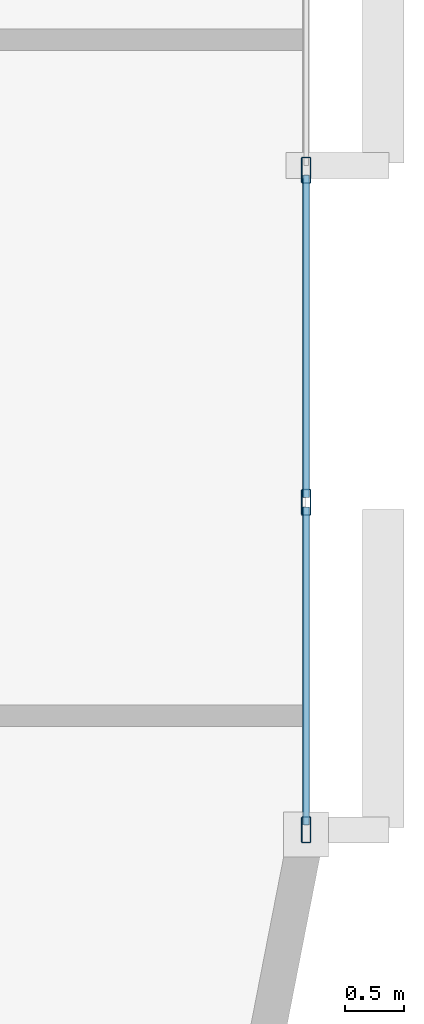
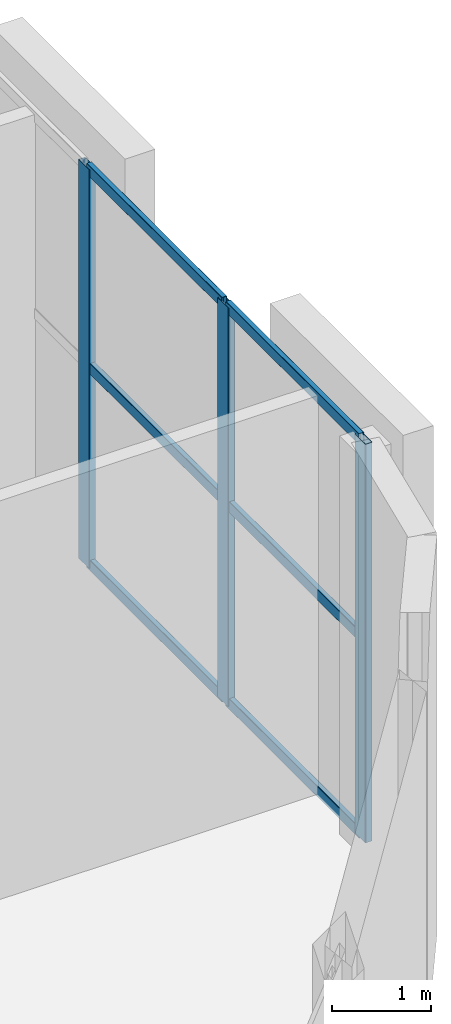
# One storey, part 4 of 12: 9 members, 1 element without a shape of its own.
"""IFC4 building model written with IfcOpenShell, lengths in metres."""

import ifcopenshell
import ifcopenshell.guid

model = None  # the IFC model being written
_history = None  # IfcOwnerHistory: only IFC2X3 demands one
_inside = {}  # id of a spatial element -> (the spatial element, [elements in it])
_under = {}  # id of a project, library or spatial element -> (it, [spatial elements below it])
_declared = {}  # id of a project -> (the project, [libraries it declares])
_typed = {}  # id of a type object -> (the type object, [elements of that type])
_made_of = {}  # id of a material, layer set ... -> (it, [elements and type objects made of it])


def new_model(schema):
    """Start an empty IFC model of exactly this schema.

    Asked for "IFC4X3", IfcOpenShell would pick the latest addendum, in which some entities
    have other attributes; the version numbers below select the first issue.
    IFC2X3 requires an IfcOwnerHistory on every rooted entity: one is made here for all.
    """
    global model, _history
    if schema == "IFC4X3":
        model = ifcopenshell.file(schema_version=(4, 3, 0, 0))
    else:
        model = ifcopenshell.file(schema=schema)
    _inside.clear()
    _under.clear()
    _declared.clear()
    _typed.clear()
    _made_of.clear()
    _history = None
    if model.schema == "IFC2X3":
        org = make("IfcOrganization", Name="unknown")
        user = make(
            "IfcPersonAndOrganization",
            ThePerson=make("IfcPerson", FamilyName="unknown"),
            TheOrganization=org,
        )
        app = make(
            "IfcApplication",
            ApplicationDeveloper=org,
            Version="unknown",
            ApplicationFullName="unknown",
            ApplicationIdentifier="unknown",
        )
        _history = make(
            "IfcOwnerHistory",
            OwningUser=user,
            OwningApplication=app,
            ChangeAction="ADDED",
            CreationDate=0,
        )
    return model


def make(cls, **values):
    """One entity of the class cls with the attributes given. An attribute that is None is left unset."""
    return model.create_entity(
        cls, **{name: value for name, value in values.items() if value is not None}
    )


def rooted(cls, **values):
    """An entity with a GlobalId (a new one), such as an element, a storey or a relation."""
    return make(cls, GlobalId=ifcopenshell.guid.new(), OwnerHistory=_history, **values)


def si_unit(unit_type, name, prefix=None):
    """IfcSIUnit, for example si_unit("LENGTHUNIT", "METRE", prefix="MILLI")."""
    return make("IfcSIUnit", UnitType=unit_type, Prefix=prefix, Name=name)


def assignment(units):
    """IfcUnitAssignment: the units of a project."""
    return None if units is None else make("IfcUnitAssignment", Units=units)


def point(xyz):
    """IfcCartesianPoint."""
    return None if xyz is None else make("IfcCartesianPoint", Coordinates=xyz)


def direction(xyz):
    """IfcDirection."""
    return None if xyz is None else make("IfcDirection", DirectionRatios=xyz)


def frame(location, z_axis=None, x_axis=None):
    """IfcAxis2Placement3D, a coordinate frame: its origin and axes. An axis left out is left unset."""
    return make(
        "IfcAxis2Placement3D",
        Location=point(location),
        Axis=direction(z_axis),
        RefDirection=direction(x_axis),
    )


def frame_2d(location, x_axis=None):
    """IfcAxis2Placement2D, a coordinate frame in the plane: its origin and x axis."""
    return make(
        "IfcAxis2Placement2D", Location=point(location), RefDirection=direction(x_axis)
    )


def origin():
    """The frame at (0, 0, 0) with its axes left unset."""
    return frame((0.0, 0.0, 0.0))


def origin_2d():
    """The frame at (0, 0) in the plane with its x axis left unset."""
    return frame_2d((0.0, 0.0))


def place(relative_to, where):
    """IfcLocalPlacement: puts the frame where relative to a parent placement (None: the world)."""
    return make(
        "IfcLocalPlacement", PlacementRelTo=relative_to, RelativePlacement=where
    )


def context(
    kind, dimensions, precision=None, world=None, true_north=None, identifier=None
):
    """IfcGeometricRepresentationContext, for example the 3D "Model" context."""
    return make(
        "IfcGeometricRepresentationContext",
        ContextIdentifier=identifier,
        ContextType=kind,
        CoordinateSpaceDimension=dimensions,
        Precision=precision,
        WorldCoordinateSystem=world,
        TrueNorth=true_north,
    )


def subcontext(parent, identifier, kind, view, scale=None):
    """IfcGeometricRepresentationSubContext, for example "Body" below "Model"."""
    return make(
        "IfcGeometricRepresentationSubContext",
        ContextIdentifier=identifier,
        ContextType=kind,
        ParentContext=parent,
        TargetScale=scale,
        TargetView=view,
    )


def project(units=None, contexts=None):
    """IfcProject with its units and contexts."""
    return rooted(
        "IfcProject",
        Name="project",
        RepresentationContexts=contexts,
        UnitsInContext=assignment(units),
    )


def spatial(cls, under=None, at=None, **own):
    """A site, building, storey or space (cls), placed at a placement, below another one or the project."""
    s = rooted(cls, ObjectPlacement=at, **own)
    if under is not None:
        _under.setdefault(under.id(), (under, []))[1].append(s)
    return s


def profile(cls, at=None, kind="AREA", **sizes):
    """A parametric profile (cls). Its sizes go by their IFC names, for example OverallWidth=200.0."""
    return make(cls, ProfileType=kind, Position=at, **sizes)


def hollow_rectangle(**sizes):
    """IfcRectangleHollowProfileDef."""
    return profile("IfcRectangleHollowProfileDef", **sizes)


def extrude(swept, where, along, depth):
    """IfcExtrudedAreaSolid: the profile swept, set in the frame where, extruded along a direction by depth."""
    return make(
        "IfcExtrudedAreaSolid",
        SweptArea=swept,
        Position=where,
        ExtrudedDirection=direction(along),
        Depth=depth,
    )


def shape(context_of_items, identifier, shape_type, items):
    """IfcShapeRepresentation: the items that make up one representation, for example the "Body"."""
    return make(
        "IfcShapeRepresentation",
        ContextOfItems=context_of_items,
        RepresentationIdentifier=identifier,
        RepresentationType=shape_type,
        Items=items,
    )


def material(Name=None, Category=None):
    """IfcMaterial."""
    return make("IfcMaterial", Name=Name, Category=Category)


def layer(
    of_material, thickness, ventilated=None, Name=None, Category=None, Priority=None
):
    """IfcMaterialLayer: one layer of a wall or slab, of a material (None: an air gap)."""
    return make(
        "IfcMaterialLayer",
        Material=of_material,
        LayerThickness=thickness,
        IsVentilated=ventilated,
        Name=Name,
        Category=Category,
        Priority=Priority,
    )


def layer_set(layers, Name=None):
    """IfcMaterialLayerSet."""
    return make("IfcMaterialLayerSet", MaterialLayers=layers, LayerSetName=Name)


def material_profile(
    of_material, cross_section, Name=None, Category=None, Priority=None
):
    """IfcMaterialProfile: a cross section and its material."""
    return make(
        "IfcMaterialProfile",
        Name=Name,
        Material=of_material,
        Profile=cross_section,
        Priority=Priority,
        Category=Category,
    )


def profile_set(profiles, Name=None, composite=None):
    """IfcMaterialProfileSet."""
    return make(
        "IfcMaterialProfileSet",
        Name=Name,
        MaterialProfiles=profiles,
        CompositeProfile=composite,
    )


def made_of(thing, what):
    """Note that an element or type object is made of a material, layer set ...; save() writes the relation."""
    if what is not None:
        _made_of.setdefault(what.id(), (what, []))[1].append(thing)
    return thing


def type_object(cls, material=None, **own):
    """A type object (cls), such as IfcWallType, which elements share."""
    return made_of(rooted(cls, **own), material)


def element(
    cls,
    number,
    at=None,
    inside=None,
    cuts=None,
    type_object=None,
    material=None,
    context=None,
    identifier="Body",
    shape_type=None,
    held_by="IfcProductDefinitionShape",
    body=None,
    shapes=None,
    **own,
):
    """One element of the class cls, such as IfcWall. Its Tag is "e" and its number.

    at: its placement. inside: the storey or other place that contains it. cuts: it is an
    opening in that element (IfcRelVoidsElement). A single representation is given by context,
    identifier, shape_type and body (its items); several are given by shapes. held_by: the class
    of the entity that holds the representations. save() writes the other relations.
    """
    e = rooted(cls, Tag="e%d" % number, ObjectPlacement=at, **own)
    if body is not None:
        shapes = [shape(context, identifier, shape_type, body)]
    if shapes is not None:
        e.Representation = make(held_by, Representations=shapes)
    if inside is not None:
        _inside.setdefault(inside.id(), (inside, []))[1].append(e)
    if cuts is not None:
        rooted(
            "IfcRelVoidsElement", RelatingBuildingElement=cuts, RelatedOpeningElement=e
        )
    if type_object is not None:
        _typed.setdefault(type_object.id(), (type_object, []))[1].append(e)
    return made_of(e, material)


def aggregate(whole, parts):
    """IfcRelAggregates: a whole, such as a stair, and the parts it consists of."""
    return rooted("IfcRelAggregates", RelatingObject=whole, RelatedObjects=parts)


def save(model, path):
    """Write the relations noted so far, then the file.

    IfcRelAggregates (storeys below a building ...), IfcRelContainedInSpatialStructure (elements
    in a storey), IfcRelDefinesByType, IfcRelAssociatesMaterial and IfcRelDeclares: one each for
    every whole, place, type object, material and project.
    """
    for whole, parts in _under.values():
        aggregate(whole, parts)
    for where, things in _inside.values():
        rooted(
            "IfcRelContainedInSpatialStructure",
            RelatedElements=things,
            RelatingStructure=where,
        )
    for kind, things in _typed.values():
        rooted("IfcRelDefinesByType", RelatedObjects=things, RelatingType=kind)
    for what, things in _made_of.values():
        rooted("IfcRelAssociatesMaterial", RelatedObjects=things, RelatingMaterial=what)
    for by, libraries in _declared.values():
        rooted("IfcRelDeclares", RelatingContext=by, RelatedDefinitions=libraries)
    model.write(path)


model = new_model("IFC4")

# Units and contexts
model_context = context("Model", 3, precision=1e-05, world=origin(), true_north=direction((0.0, 1.0)))
body_context = subcontext(model_context, "Body", "Model", "MODEL_VIEW")
ifc_project = project(units=[si_unit("LENGTHUNIT", "METRE"), si_unit("AREAUNIT", "SQUARE_METRE"), si_unit("VOLUMEUNIT", "CUBIC_METRE"), si_unit("PLANEANGLEUNIT", "RADIAN"), si_unit("MASSUNIT", "GRAM", prefix="KILO")], contexts=[model_context])

# Site, building, storey
site_placement = place(None, origin())
site = spatial("IfcSite", under=ifc_project, at=site_placement, CompositionType="ELEMENT")
building_placement = place(site_placement, origin())
building = spatial("IfcBuilding", under=site, at=building_placement, Name="An Khanh Terracotta Commons", CompositionType="ELEMENT")
storey_placement = place(building_placement, frame((0.0, 0.0, 253.699951171875)))
storey = spatial("IfcBuildingStorey", under=building, at=storey_placement, Name="L66", CompositionType="ELEMENT", Elevation=253.699951171875)

# Curtain wall, members
ifc_material = material(Name="Anodised Aluminium 6063-T6", Category="aluminium")
ifc_layer = layer(ifc_material, 0.239990234375, Name="Anodised Aluminium 6063-T6")
ifc_layer_set = layer_set([ifc_layer], Name="Anodised Aluminium 6063-T6")
curtain_wall_type = type_object("IfcCurtainWallType", Name="CW-SYS-04", PredefinedType="USERDEFINED", material=ifc_layer_set)
curtain_wall_placement = place(storey_placement, origin())
curtain_wall = element("IfcCurtainWall", 1, at=curtain_wall_placement, inside=storey, type_object=curtain_wall_type, Name="L66 CW-04 Unitised Curtain Wall CW-L66-12", ObjectType="UNITISED CURTAIN WALL", PredefinedType="USERDEFINED")
ifc_material_profile_1 = material_profile(ifc_material, hollow_rectangle(XDim=0.080078125, YDim=0.219970703125, WallThickness=0.0048828125, InnerFilletRadius=0.0048828125, OuterFilletRadius=0.010009765625, at=origin_2d()), Name="RHS220x80x5")
ifc_profile_set_1 = profile_set([ifc_material_profile_1], Name="Anodised Aluminium 6063-T6")
member_type_1 = type_object("IfcMemberType", Name="CWM-RHS220x80x5", PredefinedType="MULLION", material=ifc_profile_set_1)
member_1_placement = place(storey_placement, frame((75.60009765625, 19.837890625, 0.0), z_axis=(0.0, 0.0, 1.0), x_axis=(-1.0, 0.0, 0.0)))
member_1 = element("IfcMember", 2, at=member_1_placement, type_object=member_type_1, Name="CW-04 mullion 1", PredefinedType="MULLION", context=body_context, shape_type="SweptSolid", body=[
    extrude(hollow_rectangle(XDim=0.080078125, YDim=0.219970703125, WallThickness=0.0048828125, InnerFilletRadius=0.0048828125, OuterFilletRadius=0.010009765625, at=origin_2d()), origin(), (0.0, 0.0, 1.0), 4.900146484375),
])
member_2_placement = place(storey_placement, frame((75.60009765625, 22.599365234375, 0.0), z_axis=(0.0, 0.0, 1.0), x_axis=(-1.0, 0.0, 0.0)))
member_2 = element("IfcMember", 3, at=member_2_placement, type_object=member_type_1, Name="CW-04 mullion 2", PredefinedType="MULLION", context=body_context, shape_type="SweptSolid", body=[
    extrude(hollow_rectangle(XDim=0.080078125, YDim=0.219970703125, WallThickness=0.0048828125, InnerFilletRadius=0.0048828125, OuterFilletRadius=0.010009765625, at=origin_2d()), origin(), (0.0, 0.0, 1.0), 4.900146484375),
])
member_3_placement = place(storey_placement, frame((75.60009765625, 25.400634765625, 0.0), z_axis=(0.0, 0.0, 1.0), x_axis=(-1.0, 0.0, 0.0)))
member_3 = element("IfcMember", 4, at=member_3_placement, type_object=member_type_1, Name="CW-04 mullion 3", PredefinedType="MULLION", context=body_context, shape_type="SweptSolid", body=[
    extrude(hollow_rectangle(XDim=0.080078125, YDim=0.219970703125, WallThickness=0.0048828125, InnerFilletRadius=0.0048828125, OuterFilletRadius=0.010009765625, at=origin_2d()), origin(), (0.0, 0.0, 1.0), 4.900146484375),
])
ifc_material_profile_2 = material_profile(ifc_material, hollow_rectangle(XDim=0.06005859375, YDim=0.135009765625, WallThickness=0.003662109375, InnerFilletRadius=0.003662109375, OuterFilletRadius=0.007080078125, at=origin_2d()), Name="RHS135x60x3.6")
ifc_profile_set_2 = profile_set([ifc_material_profile_2], Name="Anodised Aluminium 6063-T6")
member_type_2 = type_object("IfcMemberType", Name="CWT-RHS135x60x3.6", PredefinedType="USERDEFINED", material=ifc_profile_set_2)
member_4_placement = place(storey_placement, frame((75.60009765625, 19.8779296875, 0.030029296875), z_axis=(0.0, 1.0, 0.0), x_axis=(-1.0, 0.0, 0.0)))
member_4 = element("IfcMember", 5, at=member_4_placement, type_object=member_type_2, Name="CW-04 transom 1.1", ObjectType="TRANSOM", PredefinedType="USERDEFINED", context=body_context, shape_type="SweptSolid", body=[
    extrude(hollow_rectangle(XDim=0.06005859375, YDim=0.135009765625, WallThickness=0.003662109375, InnerFilletRadius=0.003662109375, OuterFilletRadius=0.007080078125, at=origin_2d()), origin(), (0.0, 0.0, 1.0), 2.681396484375),
])
member_5_placement = place(storey_placement, frame((75.60009765625, 19.8779296875, 2.449951171875), z_axis=(0.0, 1.0, 0.0), x_axis=(-1.0, 0.0, 0.0)))
member_5 = element("IfcMember", 6, at=member_5_placement, type_object=member_type_2, Name="CW-04 transom 1.2", ObjectType="TRANSOM", PredefinedType="USERDEFINED", context=body_context, shape_type="SweptSolid", body=[
    extrude(hollow_rectangle(XDim=0.06005859375, YDim=0.135009765625, WallThickness=0.003662109375, InnerFilletRadius=0.003662109375, OuterFilletRadius=0.007080078125, at=origin_2d()), origin(), (0.0, 0.0, 1.0), 2.681396484375),
])
member_6_placement = place(storey_placement, frame((75.60009765625, 19.8779296875, 4.8701171875), z_axis=(0.0, 1.0, 0.0), x_axis=(-1.0, 0.0, 0.0)))
member_6 = element("IfcMember", 7, at=member_6_placement, type_object=member_type_2, Name="CW-04 transom 1.3", ObjectType="TRANSOM", PredefinedType="USERDEFINED", context=body_context, shape_type="SweptSolid", body=[
    extrude(hollow_rectangle(XDim=0.06005859375, YDim=0.135009765625, WallThickness=0.003662109375, InnerFilletRadius=0.003662109375, OuterFilletRadius=0.007080078125, at=origin_2d()), origin(), (0.0, 0.0, 1.0), 2.681396484375),
])
member_7_placement = place(storey_placement, frame((75.60009765625, 22.639404296875, 0.030029296875), z_axis=(0.0, 1.0, 0.0), x_axis=(-1.0, 0.0, 0.0)))
member_7 = element("IfcMember", 8, at=member_7_placement, type_object=member_type_2, Name="CW-04 transom 2.1", ObjectType="TRANSOM", PredefinedType="USERDEFINED", context=body_context, shape_type="SweptSolid", body=[
    extrude(hollow_rectangle(XDim=0.06005859375, YDim=0.135009765625, WallThickness=0.003662109375, InnerFilletRadius=0.003662109375, OuterFilletRadius=0.007080078125, at=origin_2d()), origin(), (0.0, 0.0, 1.0), 2.72119140625),
])
member_8_placement = place(storey_placement, frame((75.60009765625, 22.639404296875, 2.449951171875), z_axis=(0.0, 1.0, 0.0), x_axis=(-1.0, 0.0, 0.0)))
member_8 = element("IfcMember", 9, at=member_8_placement, type_object=member_type_2, Name="CW-04 transom 2.2", ObjectType="TRANSOM", PredefinedType="USERDEFINED", context=body_context, shape_type="SweptSolid", body=[
    extrude(hollow_rectangle(XDim=0.06005859375, YDim=0.135009765625, WallThickness=0.003662109375, InnerFilletRadius=0.003662109375, OuterFilletRadius=0.007080078125, at=origin_2d()), origin(), (0.0, 0.0, 1.0), 2.72119140625),
])
member_9_placement = place(storey_placement, frame((75.60009765625, 22.639404296875, 4.8701171875), z_axis=(0.0, 1.0, 0.0), x_axis=(-1.0, 0.0, 0.0)))
member_9 = element("IfcMember", 10, at=member_9_placement, type_object=member_type_2, Name="CW-04 transom 2.3", ObjectType="TRANSOM", PredefinedType="USERDEFINED", context=body_context, shape_type="SweptSolid", body=[
    extrude(hollow_rectangle(XDim=0.06005859375, YDim=0.135009765625, WallThickness=0.003662109375, InnerFilletRadius=0.003662109375, OuterFilletRadius=0.007080078125, at=origin_2d()), origin(), (0.0, 0.0, 1.0), 2.72119140625),
])
aggregate(curtain_wall, [member_1, member_2, member_3, member_4, member_5, member_6, member_7, member_8, member_9])

save(model, "model.ifc")
